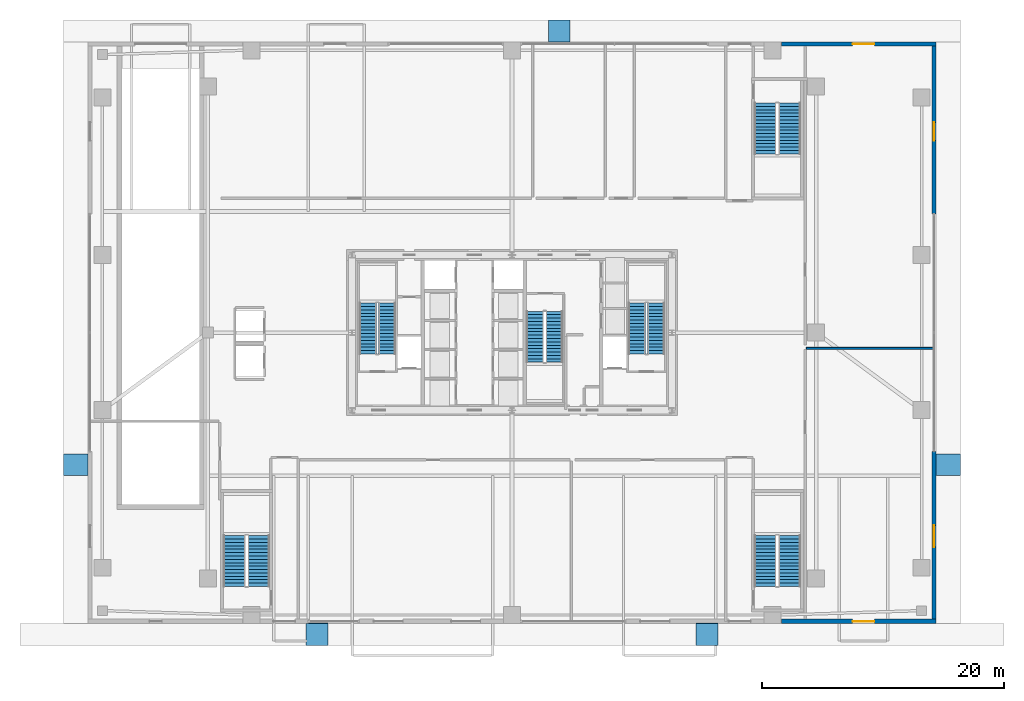
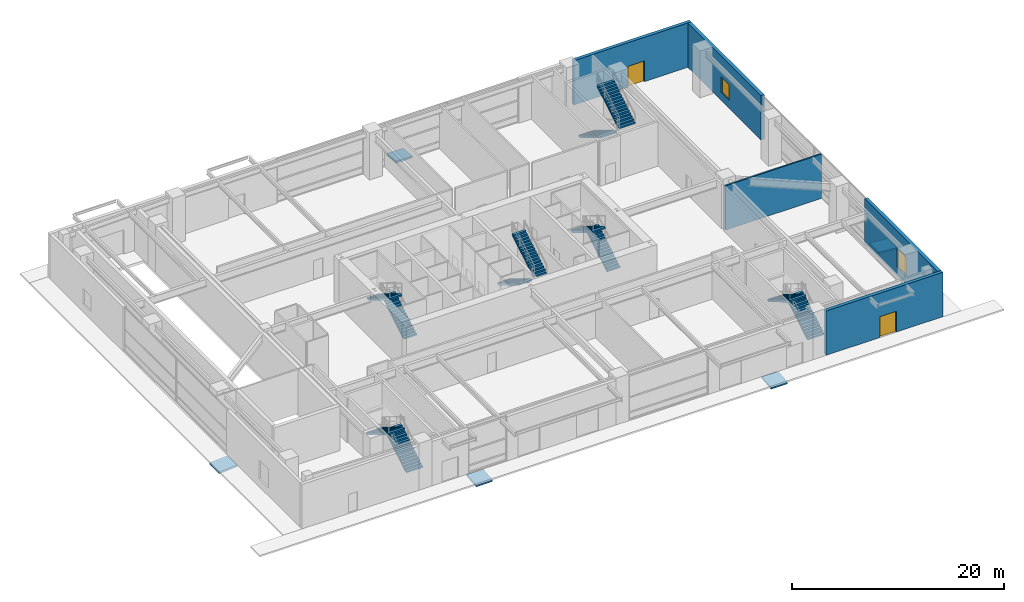
# One storey, part 28 of 32: 12 stair flights, 5 ramp flights, 5 walls, 2 doors, 2 windows, 4 openings, 11 elements without a shape of their own.
"""IFC4 building model written with IfcOpenShell, lengths in metres."""

from ifc_helpers import new_model, si_unit, direction, frame, frame_2d, origin, place, context, subcontext, project, spatial, polyline, rectangle, outline, extrude, source, transform, mapped, material, layer, layer_set, type_object, element, fill, aggregate, save


model = new_model("IFC4")

# Units and contexts
model_context = context("Model", 3, precision=1e-05, world=origin(), true_north=direction((0.0, 1.0)))
body_context = subcontext(model_context, "Body", "Model", "MODEL_VIEW")
ifc_project = project(units=[si_unit("LENGTHUNIT", "METRE"), si_unit("AREAUNIT", "SQUARE_METRE"), si_unit("VOLUMEUNIT", "CUBIC_METRE"), si_unit("PLANEANGLEUNIT", "RADIAN"), si_unit("MASSUNIT", "GRAM", prefix="KILO"), si_unit("THERMODYNAMICTEMPERATUREUNIT", "KELVIN"), si_unit("POWERUNIT", "WATT")], contexts=[model_context])

# Site, building, storey
site_placement = place(None, origin())
site = spatial("IfcSite", under=ifc_project, at=site_placement, CompositionType="ELEMENT")
building_placement = place(site_placement, origin())
building = spatial("IfcBuilding", under=site, at=building_placement, Name="Yuzanri Waterfront Tower", CompositionType="ELEMENT")
storey_placement = place(building_placement, origin())
storey = spatial("IfcBuildingStorey", under=building, at=storey_placement, Name="L01", CompositionType="ELEMENT", Elevation=0.0)

# Wall, opening, door
ifc_material_1 = material(Name="Honed Chongqing Dark Basalt Stone", Category="masonry")
ifc_layer_1 = layer(ifc_material_1, 0.360107421875)
ifc_layer_set_1 = layer_set([ifc_layer_1], Name="Honed Chongqing Dark Basalt Stone")
wall_type_1 = type_object("IfcWallType", Name="Honed Basalt Stone Masonry-Frame Spandrel Wall 360", PredefinedType="SOLIDWALL", material=ifc_layer_set_1)
wall_1_placement = place(storey_placement, frame((72.0, 1.97998046875, 0.0), z_axis=(0.0, 0.0, 1.0), x_axis=(-1.0, 0.0, 0.0)))
wall_1 = element("IfcWall", 1, at=wall_1_placement, inside=storey, type_object=wall_type_1, Name="L01 South-East Basalt Pier", PredefinedType="SOLIDWALL", context=body_context, shape_type="SweptSolid", body=[
    extrude(rectangle(XDim=12.780029296875, YDim=0.360107421875, at=frame_2d((6.39013671875, 0.0))), origin(), (0.0, 0.0, 1.0), 5.1201171875),
])
opening_1_placement = place(wall_1_placement, frame((5.10009765625, 0.0, 0.0)))
opening_1 = element("IfcOpeningElement", 2, at=opening_1_placement, cuts=wall_1, Name="Opening ED-1800", PredefinedType="OPENING", context=body_context, shape_type="SweptSolid", body=[
    extrude(rectangle(XDim=1.800048828125, YDim=2.39990234375, at=frame_2d((0.89990234375, 1.199951171875))), frame((0.0, 0.19482421875, 0.0), z_axis=(0.0, -1.0, 0.0), x_axis=(1.0, 0.0, 0.0)), (0.0, 0.0, 1.0), 0.389892578125),
])
ifc_material_2 = material(Name="Anodized Architectural Bronze", Category="metal")
door_type = type_object("IfcDoorType", Name="Anodized Bronze Retail Streetfront Glazed Double Entrance Door 1800x2400", OperationType="NOTDEFINED", PredefinedType="DOOR", material=ifc_material_2)
shared_shape_1 = source(origin(), body_context, "Body", "SweptSolid", [
    extrude(rectangle(XDim=1.800048828125, YDim=2.39990234375, at=frame_2d((0.89990234375, 1.199951171875))), frame((0.0, 0.02490234375, 0.0), z_axis=(0.0, -1.0, 0.0), x_axis=(1.0, 0.0, 0.0)), (0.0, 0.0, 1.0), 0.050048828125),
])
door_1_placement = place(opening_1_placement, origin())
door_1 = element("IfcDoor", 3, at=door_1_placement, inside=storey, type_object=door_type, Name="L01 Flagship Retail Street Entrance", OperationType="DOUBLE_DOOR_SINGLE_SWING", OverallHeight=2.39990234375, OverallWidth=1.800048828125, PredefinedType="DOOR", context=body_context, shape_type="MappedRepresentation", body=[
    mapped(shared_shape_1, transform((0.0, 0.0, 0.0), scale=1.0)),
])
fill(opening_1, door_1)

wall_2_placement = place(storey_placement, frame((59.219970703125, 49.6201171875, 0.0), z_axis=(0.0, 0.0, 1.0), x_axis=(1.0, 0.0, 0.0)))
wall_2 = element("IfcWall", 4, at=wall_2_placement, inside=storey, type_object=wall_type_1, Name="L01 North-East Basalt Wall", PredefinedType="SOLIDWALL", context=body_context, shape_type="SweptSolid", body=[
    extrude(rectangle(XDim=12.780029296875, YDim=0.360107421875, at=frame_2d((6.39013671875, 0.0))), origin(), (0.0, 0.0, 1.0), 5.1201171875),
])
opening_2_placement = place(wall_2_placement, frame((5.8798828125, 0.0, 0.0)))
opening_2 = element("IfcOpeningElement", 5, at=opening_2_placement, cuts=wall_2, Name="Opening ED-1800", PredefinedType="OPENING", context=body_context, shape_type="SweptSolid", body=[
    extrude(rectangle(XDim=1.800048828125, YDim=2.39990234375, at=frame_2d((0.89990234375, 1.199951171875))), frame((0.0, 0.19482421875, 0.0), z_axis=(0.0, -1.0, 0.0), x_axis=(1.0, 0.0, 0.0)), (0.0, 0.0, 1.0), 0.389892578125),
])
door_2_placement = place(opening_2_placement, origin())
door_2 = element("IfcDoor", 6, at=door_2_placement, inside=storey, type_object=door_type, Name="L01 Riverfront Cafe Street Entrance", OperationType="DOUBLE_DOOR_SINGLE_SWING", OverallHeight=2.39990234375, OverallWidth=1.800048828125, PredefinedType="DOOR", context=body_context, shape_type="MappedRepresentation", body=[
    mapped(shared_shape_1, transform((0.0, 0.0, 0.0), scale=1.0)),
])
fill(opening_2, door_2)

# Wall, opening, window
wall_3_placement = place(storey_placement, frame((71.820068359375, 2.159912109375, 0.0), z_axis=(0.0, 0.0, 1.0), x_axis=(0.0, 1.0, 0.0)))
wall_3 = element("IfcWall", 7, at=wall_3_placement, inside=storey, type_object=wall_type_1, Name="L01 E South Basalt Pier", PredefinedType="SOLIDWALL", context=body_context, shape_type="SweptSolid", body=[
    extrude(rectangle(XDim=13.840087890625, YDim=0.360107421875, at=frame_2d((6.919921875, 0.0))), origin(), (0.0, 0.0, 1.0), 5.1201171875),
])
opening_3_placement = place(wall_3_placement, frame((5.93994140625, 0.0, 0.89990234375)))
opening_3 = element("IfcOpeningElement", 8, at=opening_3_placement, cuts=wall_3, Name="Opening WN-01", PredefinedType="OPENING", context=body_context, shape_type="SweptSolid", body=[
    extrude(rectangle(XDim=1.800048828125, YDim=2.199951171875, at=frame_2d((0.89990234375, 1.10009765625))), frame((0.0, 0.19482421875, 0.0), z_axis=(0.0, -1.0, 0.0), x_axis=(1.0, 0.0, 0.0)), (0.0, 0.0, 1.0), 0.389892578125),
])
ifc_material_3 = material(Name="Double-Silver Low-E Insulated Glass", Category="glass")
window_type_1 = type_object("IfcWindowType", Name="Anodized Bronze Recessed Bronze Frame Double Casement Window 1800x2200", PartitioningType="SINGLE_PANEL", PredefinedType="WINDOW", material=ifc_material_3)
shared_shape_2 = source(origin(), body_context, "Body", "SweptSolid", [
    extrude(rectangle(XDim=1.800048828125, YDim=2.199951171875, at=frame_2d((0.89990234375, 1.10009765625))), frame((0.0, 0.030029296875, 0.0), z_axis=(0.0, -1.0, 0.0), x_axis=(1.0, 0.0, 0.0)), (0.0, 0.0, 1.0), 0.06005859375),
])
window_1_placement = place(opening_3_placement, origin())
window_1 = element("IfcWindow", 9, at=window_1_placement, inside=storey, type_object=window_type_1, Name="L01 ES Window", OverallHeight=2.199951171875, OverallWidth=1.800048828125, PartitioningType="SINGLE_PANEL", PredefinedType="WINDOW", context=body_context, shape_type="MappedRepresentation", body=[
    mapped(shared_shape_2, transform((0.0, 0.0, 0.0), scale=1.0)),
])
fill(opening_3, window_1)

wall_4_placement = place(storey_placement, frame((71.820068359375, 35.60009765625, 0.0), z_axis=(0.0, 0.0, 1.0), x_axis=(0.0, 1.0, 0.0)))
wall_4 = element("IfcWall", 10, at=wall_4_placement, inside=storey, type_object=wall_type_1, Name="L01 E North Basalt Pier", PredefinedType="SOLIDWALL", context=body_context, shape_type="SweptSolid", body=[
    extrude(rectangle(XDim=13.83984375, YDim=0.360107421875, at=frame_2d((6.919921875, 0.0))), origin(), (0.0, 0.0, 1.0), 5.1201171875),
])
opening_4_placement = place(wall_4_placement, frame((6.050048828125, 0.0, 0.89990234375)))
opening_4 = element("IfcOpeningElement", 11, at=opening_4_placement, cuts=wall_4, Name="Opening WN-04", PredefinedType="OPENING", context=body_context, shape_type="SweptSolid", body=[
    extrude(rectangle(XDim=1.5, YDim=1.800048828125, at=frame_2d((0.75, 0.89990234375))), frame((0.0, 0.19482421875, 0.0), z_axis=(0.0, -1.0, 0.0), x_axis=(1.0, 0.0, 0.0)), (0.0, 0.0, 1.0), 0.389892578125),
])
ifc_material_4 = material(Name="Double-Silver Low-E Insulated Glass", Category="glass")
window_type_2 = type_object("IfcWindowType", Name="Anodized Bronze Suite Operable Tilt-Turn Window 1500x1800", PartitioningType="SINGLE_PANEL", PredefinedType="WINDOW", material=ifc_material_4)
shared_shape_3 = source(origin(), body_context, "Body", "SweptSolid", [
    extrude(rectangle(XDim=1.5, YDim=1.800048828125, at=frame_2d((0.75, 0.89990234375))), frame((0.0, 0.030029296875, 0.0), z_axis=(0.0, -1.0, 0.0), x_axis=(1.0, 0.0, 0.0)), (0.0, 0.0, 1.0), 0.06005859375),
])
window_2_placement = place(opening_4_placement, origin())
window_2 = element("IfcWindow", 12, at=window_2_placement, inside=storey, type_object=window_type_2, Name="L01 EN Window", OverallHeight=1.800048828125, OverallWidth=1.5, PartitioningType="SINGLE_PANEL", PredefinedType="WINDOW", context=body_context, shape_type="MappedRepresentation", body=[
    mapped(shared_shape_3, transform((0.0, 0.0, 0.0), scale=1.0)),
])
fill(opening_4, window_2)

# Wall
ifc_material_5 = material(Name="Gypsum Fireboard Acoustic Stud Wall", Category="gypsum")
ifc_layer_2 = layer(ifc_material_5, 0.159912109375)
ifc_layer_set_2 = layer_set([ifc_layer_2], Name="Gypsum Fireboard Acoustic Stud Wall")
wall_type_2 = type_object("IfcWallType", Name="Acoustic Suite Demising Partition 160", PredefinedType="PARTITIONING", material=ifc_layer_set_2)
shared_shape_4 = source(origin(), body_context, "Body", "SweptSolid", [
    extrude(rectangle(XDim=10.52001953125, YDim=0.159912109375, at=frame_2d((5.260009765625, 0.0))), origin(), (0.0, 0.0, 1.0), 5.1201171875),
])
wall_5_placement = place(storey_placement, frame((61.300048828125, 24.5, 0.0), z_axis=(0.0, 0.0, 1.0), x_axis=(1.0, 0.0, 0.0)))
element("IfcWall", 13, at=wall_5_placement, inside=storey, type_object=wall_type_2, Name="L01-029 North Partition", PredefinedType="PARTITIONING", context=body_context, shape_type="MappedRepresentation", body=[
    mapped(shared_shape_4, transform((0.0, 0.0, 0.0), scale=1.0)),
])

# Stair, stair flights
ifc_material_6 = material(Name="Concrete C40", Category="concrete")
stair_type_1 = type_object("IfcStairType", Name="Concrete C40 Core Dogleg Exit Stair", PredefinedType="HALF_TURN_STAIR", material=ifc_material_6)
stair_1_placement = place(storey_placement, origin())
stair_1 = element("IfcStair", 14, at=stair_1_placement, inside=storey, type_object=stair_type_1, Name="L01 Smoke-Proof Core Stair ST-01", PredefinedType="HALF_TURN_STAIR")
ifc_material_7 = material(Name="Concrete C40", Category="concrete")
stair_flight_type_1 = type_object("IfcStairFlightType", Name="Concrete C40 Tall-Storey Precast Stair Flight 1380", PredefinedType="STRAIGHT", material=ifc_material_7)
shared_shape_5 = source(origin(), body_context, "Body", "SweptSolid", [
    extrude(outline(polyline([(0.0, 0.0), (0.0, 0.168701171875), (0.280029296875, 0.168701171875), (0.280029296875, 0.33740234375), (0.56005859375, 0.33740234375), (0.56005859375, 0.50634765625), (0.840087890625, 0.50634765625), (0.840087890625, 0.675048828125), (1.1201171875, 0.675048828125), (1.1201171875, 0.84375), (1.39990234375, 0.84375), (1.39990234375, 1.012451171875), (1.679931640625, 1.012451171875), (1.679931640625, 1.18115234375), (1.9599609375, 1.18115234375), (1.9599609375, 1.35009765625), (2.239990234375, 1.35009765625), (2.239990234375, 1.518798828125), (2.52001953125, 1.518798828125), (2.52001953125, 1.6875), (2.800048828125, 1.6875), (2.800048828125, 1.856201171875), (3.080078125, 1.856201171875), (3.080078125, 2.02490234375), (3.360107421875, 2.02490234375), (3.360107421875, 2.19384765625), (3.639892578125, 2.19384765625), (3.639892578125, 2.362548828125), (3.919921875, 2.362548828125), (3.919921875, 2.53125), (4.199951171875, 2.53125), (4.199951171875, 2.699951171875), (4.199951171875, 2.356201171875), (0.29052734375, 0.0), (0.0, 0.0)])), frame((0.0, 0.699951171875, 0.0), z_axis=(0.0, -1.0, 0.0), x_axis=(1.0, 0.0, 0.0)), (0.0, 0.0, 1.0), 1.39990234375),
])
stair_flight_1_placement = place(storey_placement, frame((26.699951171875, 24.0400390625, 0.0), z_axis=(0.0, 0.0, 1.0), x_axis=(0.0, 1.0, 0.0)))
stair_flight_1 = element("IfcStairFlight", 15, at=stair_flight_1_placement, type_object=stair_flight_type_1, Name="ST-01 flight 1", NumberOfRisers=16, NumberOfTreads=15, PredefinedType="STRAIGHT", RiserHeight=0.16875, TreadLength=0.28, context=body_context, shape_type="MappedRepresentation", body=[
    mapped(shared_shape_5, transform((0.0, 0.0, 0.0), scale=1.0)),
])
stair_flight_2_placement = place(storey_placement, frame((25.10009765625, 28.239990234375, 2.699951171875), z_axis=(0.0, 0.0, 1.0), x_axis=(0.0, -1.0, 0.0)))
stair_flight_2 = element("IfcStairFlight", 16, at=stair_flight_2_placement, type_object=stair_flight_type_1, Name="ST-01 flight 2", NumberOfRisers=16, NumberOfTreads=15, PredefinedType="STRAIGHT", RiserHeight=0.16875, TreadLength=0.28, context=body_context, shape_type="MappedRepresentation", body=[
    mapped(shared_shape_5, transform((0.0, 0.0, 0.0), scale=1.0)),
])
aggregate(stair_1, [stair_flight_1, stair_flight_2])

stair_2_placement = place(storey_placement, origin())
stair_2 = element("IfcStair", 17, at=stair_2_placement, inside=storey, type_object=stair_type_1, Name="L01 Smoke-Proof Core Stair ST-02", PredefinedType="HALF_TURN_STAIR")
stair_flight_3_placement = place(storey_placement, frame((48.89990234375, 24.0400390625, 0.0), z_axis=(0.0, 0.0, 1.0), x_axis=(0.0, 1.0, 0.0)))
stair_flight_3 = element("IfcStairFlight", 18, at=stair_flight_3_placement, type_object=stair_flight_type_1, Name="ST-02 flight 1", NumberOfRisers=16, NumberOfTreads=15, PredefinedType="STRAIGHT", RiserHeight=0.16875, TreadLength=0.28, context=body_context, shape_type="MappedRepresentation", body=[
    mapped(shared_shape_5, transform((0.0, 0.0, 0.0), scale=1.0)),
])
stair_flight_4_placement = place(storey_placement, frame((47.300048828125, 28.239990234375, 2.699951171875), z_axis=(0.0, 0.0, 1.0), x_axis=(0.0, -1.0, 0.0)))
stair_flight_4 = element("IfcStairFlight", 19, at=stair_flight_4_placement, type_object=stair_flight_type_1, Name="ST-02 flight 2", NumberOfRisers=16, NumberOfTreads=15, PredefinedType="STRAIGHT", RiserHeight=0.16875, TreadLength=0.28, context=body_context, shape_type="MappedRepresentation", body=[
    mapped(shared_shape_5, transform((0.0, 0.0, 0.0), scale=1.0)),
])
aggregate(stair_2, [stair_flight_3, stair_flight_4])

stair_3_placement = place(storey_placement, origin())
stair_3 = element("IfcStair", 20, at=stair_3_placement, inside=storey, type_object=stair_type_1, Name="L01 Smoke-Proof Core Stair ST-03", PredefinedType="HALF_TURN_STAIR")
stair_flight_5_placement = place(storey_placement, frame((38.89990234375, 27.56005859375, 0.0), z_axis=(0.0, 0.0, 1.0), x_axis=(0.0, -1.0, 0.0)))
stair_flight_5 = element("IfcStairFlight", 21, at=stair_flight_5_placement, type_object=stair_flight_type_1, Name="ST-03 flight 1", NumberOfRisers=16, NumberOfTreads=15, PredefinedType="STRAIGHT", RiserHeight=0.16875, TreadLength=0.28, context=body_context, shape_type="MappedRepresentation", body=[
    mapped(shared_shape_5, transform((0.0, 0.0, 0.0), scale=1.0)),
])
stair_flight_6_placement = place(storey_placement, frame((40.5, 23.360107421875, 2.699951171875), z_axis=(0.0, 0.0, 1.0), x_axis=(0.0, 1.0, 0.0)))
stair_flight_6 = element("IfcStairFlight", 22, at=stair_flight_6_placement, type_object=stair_flight_type_1, Name="ST-03 flight 2", NumberOfRisers=16, NumberOfTreads=15, PredefinedType="STRAIGHT", RiserHeight=0.16875, TreadLength=0.28, context=body_context, shape_type="MappedRepresentation", body=[
    mapped(shared_shape_5, transform((0.0, 0.0, 0.0), scale=1.0)),
])
aggregate(stair_3, [stair_flight_5, stair_flight_6])

ifc_material_8 = material(Name="Concrete C40", Category="concrete")
stair_type_2 = type_object("IfcStairType", Name="Concrete C40 Podium Dogleg Exit Stair", PredefinedType="HALF_TURN_STAIR", material=ifc_material_8)
stair_4_placement = place(storey_placement, origin())
stair_4 = element("IfcStair", 23, at=stair_4_placement, inside=storey, type_object=stair_type_2, Name="L01 Podium Public Exit Stair PST-01", PredefinedType="HALF_TURN_STAIR")
ifc_material_9 = material(Name="Concrete C40", Category="concrete")
stair_flight_type_2 = type_object("IfcStairFlightType", Name="Concrete C40 Precast Podium Stair Flight 1400", PredefinedType="STRAIGHT", material=ifc_material_9)
shared_shape_6 = source(origin(), body_context, "Body", "SweptSolid", [
    extrude(outline(polyline([(0.0, 0.0), (0.0, 0.168701171875), (0.280029296875, 0.168701171875), (0.280029296875, 0.33740234375), (0.56005859375, 0.33740234375), (0.56005859375, 0.50634765625), (0.840087890625, 0.50634765625), (0.840087890625, 0.675048828125), (1.1201171875, 0.675048828125), (1.1201171875, 0.84375), (1.39990234375, 0.84375), (1.39990234375, 1.012451171875), (1.679931640625, 1.012451171875), (1.679931640625, 1.18115234375), (1.9599609375, 1.18115234375), (1.9599609375, 1.35009765625), (2.239990234375, 1.35009765625), (2.239990234375, 1.518798828125), (2.52001953125, 1.518798828125), (2.52001953125, 1.6875), (2.800048828125, 1.6875), (2.800048828125, 1.856201171875), (3.080078125, 1.856201171875), (3.080078125, 2.02490234375), (3.360107421875, 2.02490234375), (3.360107421875, 2.19384765625), (3.639892578125, 2.19384765625), (3.639892578125, 2.362548828125), (3.919921875, 2.362548828125), (3.919921875, 2.53125), (4.199951171875, 2.53125), (4.199951171875, 2.699951171875), (4.199951171875, 2.356201171875), (0.29052734375, 0.0), (0.0, 0.0)])), frame((0.0, 0.89990234375, 0.0), z_axis=(0.0, -1.0, 0.0), x_axis=(1.0, 0.0, 0.0)), (0.0, 0.0, 1.0), 1.800048828125),
])
stair_flight_7_placement = place(storey_placement, frame((16.10009765625, 4.85009765625, 0.0), z_axis=(0.0, 0.0, 1.0), x_axis=(0.0, 1.0, 0.0)))
stair_flight_7 = element("IfcStairFlight", 24, at=stair_flight_7_placement, type_object=stair_flight_type_2, Name="PST-01 flight 1", NumberOfRisers=16, NumberOfTreads=15, PredefinedType="STRAIGHT", RiserHeight=0.16875, TreadLength=0.28, context=body_context, shape_type="MappedRepresentation", body=[
    mapped(shared_shape_6, transform((0.0, 0.0, 0.0), scale=1.0)),
])
stair_flight_8_placement = place(storey_placement, frame((14.10009765625, 9.050048828125, 2.699951171875), z_axis=(0.0, 0.0, 1.0), x_axis=(0.0, -1.0, 0.0)))
stair_flight_8 = element("IfcStairFlight", 25, at=stair_flight_8_placement, type_object=stair_flight_type_2, Name="PST-01 flight 2", NumberOfRisers=16, NumberOfTreads=15, PredefinedType="STRAIGHT", RiserHeight=0.16875, TreadLength=0.28, context=body_context, shape_type="MappedRepresentation", body=[
    mapped(shared_shape_6, transform((0.0, 0.0, 0.0), scale=1.0)),
])
aggregate(stair_4, [stair_flight_7, stair_flight_8])

stair_5_placement = place(storey_placement, origin())
stair_5 = element("IfcStair", 26, at=stair_5_placement, inside=storey, type_object=stair_type_2, Name="L01 Podium Public Exit Stair PST-02", PredefinedType="HALF_TURN_STAIR")
stair_flight_9_placement = place(storey_placement, frame((59.89990234375, 4.85009765625, 0.0), z_axis=(0.0, 0.0, 1.0), x_axis=(0.0, 1.0, 0.0)))
stair_flight_9 = element("IfcStairFlight", 27, at=stair_flight_9_placement, type_object=stair_flight_type_2, Name="PST-02 flight 1", NumberOfRisers=16, NumberOfTreads=15, PredefinedType="STRAIGHT", RiserHeight=0.16875, TreadLength=0.28, context=body_context, shape_type="MappedRepresentation", body=[
    mapped(shared_shape_6, transform((0.0, 0.0, 0.0), scale=1.0)),
])
stair_flight_10_placement = place(storey_placement, frame((57.89990234375, 9.050048828125, 2.699951171875), z_axis=(0.0, 0.0, 1.0), x_axis=(0.0, -1.0, 0.0)))
stair_flight_10 = element("IfcStairFlight", 28, at=stair_flight_10_placement, type_object=stair_flight_type_2, Name="PST-02 flight 2", NumberOfRisers=16, NumberOfTreads=15, PredefinedType="STRAIGHT", RiserHeight=0.16875, TreadLength=0.28, context=body_context, shape_type="MappedRepresentation", body=[
    mapped(shared_shape_6, transform((0.0, 0.0, 0.0), scale=1.0)),
])
aggregate(stair_5, [stair_flight_9, stair_flight_10])

stair_6_placement = place(storey_placement, origin())
stair_6 = element("IfcStair", 29, at=stair_6_placement, inside=storey, type_object=stair_type_2, Name="L01 Podium Public Exit Stair PST-03", PredefinedType="HALF_TURN_STAIR")
stair_flight_11_placement = place(storey_placement, frame((57.89990234375, 44.75, 0.0), z_axis=(0.0, 0.0, 1.0), x_axis=(0.0, -1.0, 0.0)))
stair_flight_11 = element("IfcStairFlight", 30, at=stair_flight_11_placement, type_object=stair_flight_type_2, Name="PST-03 flight 1", NumberOfRisers=16, NumberOfTreads=15, PredefinedType="STRAIGHT", RiserHeight=0.16875, TreadLength=0.28, context=body_context, shape_type="MappedRepresentation", body=[
    mapped(shared_shape_6, transform((0.0, 0.0, 0.0), scale=1.0)),
])
stair_flight_12_placement = place(storey_placement, frame((59.89990234375, 40.550048828125, 2.699951171875), z_axis=(0.0, 0.0, 1.0), x_axis=(0.0, 1.0, 0.0)))
stair_flight_12 = element("IfcStairFlight", 31, at=stair_flight_12_placement, type_object=stair_flight_type_2, Name="PST-03 flight 2", NumberOfRisers=16, NumberOfTreads=15, PredefinedType="STRAIGHT", RiserHeight=0.16875, TreadLength=0.28, context=body_context, shape_type="MappedRepresentation", body=[
    mapped(shared_shape_6, transform((0.0, 0.0, 0.0), scale=1.0)),
])
aggregate(stair_6, [stair_flight_11, stair_flight_12])

# Ramp, ramp flight
ifc_material_10 = material(Name="Concrete C40", Category="concrete")
ramp_type = type_object("IfcRampType", Name="Concrete C40 Accessible Promenade Step-Free Ramp", PredefinedType="STRAIGHT_RUN_RAMP", material=ifc_material_10)
ramp_1_placement = place(storey_placement, origin())
ramp_1 = element("IfcRamp", 32, at=ramp_1_placement, inside=storey, type_object=ramp_type, Name="South-West Promenade Step-Free Ramp", PredefinedType="STRAIGHT_RUN_RAMP")
ifc_material_11 = material(Name="Concrete C40", Category="concrete")
ifc_layer_3 = layer(ifc_material_11, 0.199951171875)
ifc_layer_set_3 = layer_set([ifc_layer_3], Name="Concrete C40")
ramp_flight_type = type_object("IfcRampFlightType", Name="Concrete C40 Accessible Ramp Flight 200", PredefinedType="STRAIGHT", material=ifc_layer_set_3)
ramp_flight_1_placement = place(storey_placement, frame((20.0, 0.0, -0.179931640625), z_axis=(0.0, -0.099463632572, 0.995041198039), x_axis=(1.0, 0.0, 0.0)))
ramp_flight_1 = element("IfcRampFlight", 33, at=ramp_flight_1_placement, type_object=ramp_flight_type, Name="South-West Promenade Step-Free Ramp Flight", PredefinedType="STRAIGHT", context=body_context, shape_type="SweptSolid", body=[
    extrude(outline(polyline([(0.0, 0.0), (1.800048828125, 0.0), (1.800048828125, 1.8090193970580275), (0.0, 1.8090193970580275), (0.0, 0.0)])), origin(), (0.0, 0.0, -1.0), 0.199951171875),
])
aggregate(ramp_1, [ramp_flight_1])

ramp_2_placement = place(storey_placement, origin())
ramp_2 = element("IfcRamp", 34, at=ramp_2_placement, inside=storey, type_object=ramp_type, Name="South-East Promenade Step-Free Ramp", PredefinedType="STRAIGHT_RUN_RAMP")
ramp_flight_2_placement = place(storey_placement, frame((52.199951171875, 0.0, -0.179931640625), z_axis=(0.0, -0.099463632572, 0.995041198039), x_axis=(1.0, 0.0, 0.0)))
ramp_flight_2 = element("IfcRampFlight", 35, at=ramp_flight_2_placement, type_object=ramp_flight_type, Name="South-East Promenade Step-Free Ramp Flight", PredefinedType="STRAIGHT", context=body_context, shape_type="SweptSolid", body=[
    extrude(outline(polyline([(0.0, 0.0), (1.800048828125, 0.0), (1.800048828125, 1.8090193970580275), (0.0, 1.8090193970580275), (0.0, 0.0)])), origin(), (0.0, 0.0, -1.0), 0.199951171875),
])
aggregate(ramp_2, [ramp_flight_2])

ramp_3_placement = place(storey_placement, origin())
ramp_3 = element("IfcRamp", 36, at=ramp_3_placement, inside=storey, type_object=ramp_type, Name="West Riverfront Step-Free Ramp", PredefinedType="STRAIGHT_RUN_RAMP")
ramp_flight_3_placement = place(storey_placement, frame((0.0, 14.0, -0.14990234375), z_axis=(-0.074741528962, 0.0, 0.997202940152), x_axis=(0.997202940152, 0.0, 0.074741528962)))
ramp_flight_3 = element("IfcRampFlight", 37, at=ramp_flight_3_placement, type_object=ramp_flight_type, Name="West Riverfront Step-Free Ramp Flight", PredefinedType="STRAIGHT", context=body_context, shape_type="SweptSolid", body=[
    extrude(outline(polyline([(0.0, 0.0), (2.0056098106714932, 0.0), (2.0056098106714932, 1.800048828125), (0.0, 1.800048828125), (0.0, 0.0)])), origin(), (0.0, 0.0, -1.0), 0.199951171875),
])
aggregate(ramp_3, [ramp_flight_3])

ramp_4_placement = place(storey_placement, origin())
ramp_4 = element("IfcRamp", 38, at=ramp_4_placement, inside=storey, type_object=ramp_type, Name="East Riverfront Step-Free Ramp", PredefinedType="STRAIGHT_RUN_RAMP")
ramp_flight_4_placement = place(storey_placement, frame((72.0, 14.0, 0.0), z_axis=(0.074741528962, 0.0, 0.997202940152), x_axis=(0.997202940152, 0.0, -0.074741528962)))
ramp_flight_4 = element("IfcRampFlight", 39, at=ramp_flight_4_placement, type_object=ramp_flight_type, Name="East Riverfront Step-Free Ramp Flight", PredefinedType="STRAIGHT", context=body_context, shape_type="SweptSolid", body=[
    extrude(outline(polyline([(0.0, 0.0), (2.0056098106714932, 0.0), (2.0056098106714932, 1.800048828125), (0.0, 1.800048828125), (0.0, 0.0)])), origin(), (0.0, 0.0, -1.0), 0.199951171875),
])
aggregate(ramp_4, [ramp_flight_4])

ramp_5_placement = place(storey_placement, origin())
ramp_5 = element("IfcRamp", 40, at=ramp_5_placement, inside=storey, type_object=ramp_type, Name="North Drop-Off Step-Free Ramp", PredefinedType="STRAIGHT_RUN_RAMP")
ramp_flight_5_placement = place(storey_placement, frame((40.0, 49.800048828125, 0.0), z_axis=(0.0, 0.099463632572, 0.995041198039), x_axis=(1.0, 0.0, 0.0)))
ramp_flight_5 = element("IfcRampFlight", 41, at=ramp_flight_5_placement, type_object=ramp_flight_type, Name="North Drop-Off Step-Free Ramp Flight", PredefinedType="STRAIGHT", context=body_context, shape_type="SweptSolid", body=[
    extrude(outline(polyline([(0.0, 0.0), (1.800048828125, 0.0), (1.800048828125, 1.8090193970580275), (0.0, 1.8090193970580275), (0.0, 0.0)])), origin(), (0.0, 0.0, -1.0), 0.199951171875),
])
aggregate(ramp_5, [ramp_flight_5])

save(model, "model.ifc")
